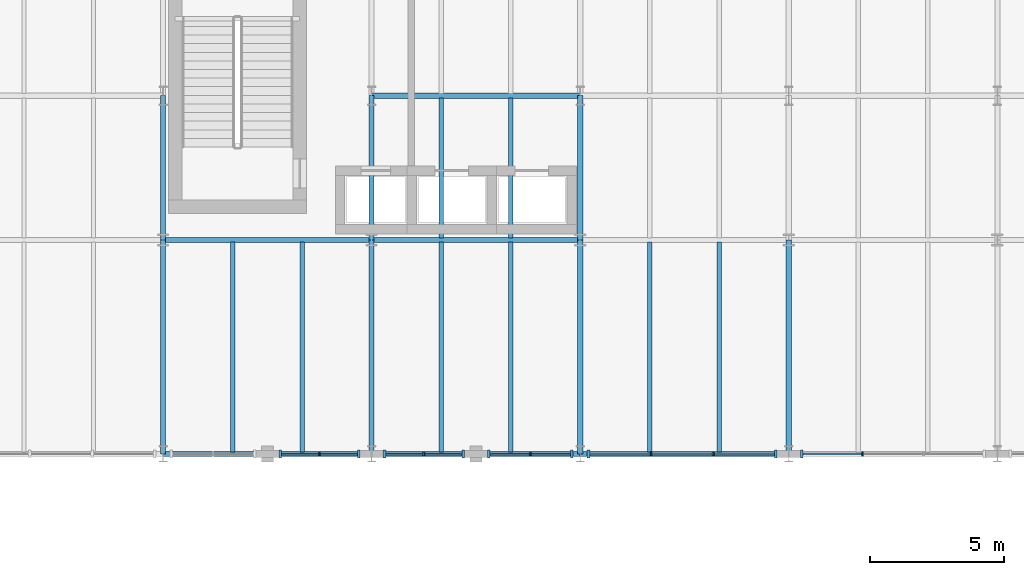
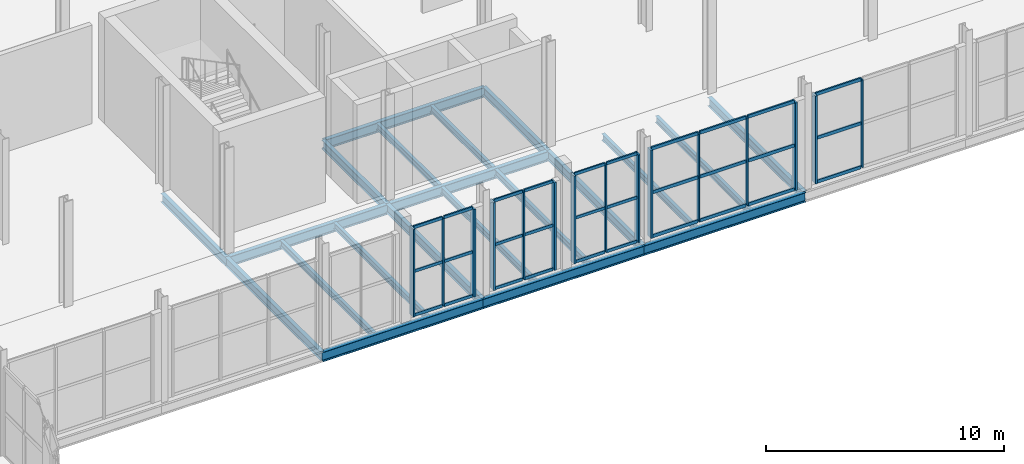
# One storey, part 30 of 78: 45 members, 21 beams, 5 elements without a shape of their own.
"""IFC4 building model written with IfcOpenShell, lengths in metres."""

from ifc_helpers import new_model, si_unit, direction, frame, origin, origin_2d, place, context, subcontext, project, spatial, rectangle, i_section, extrude, material, layer, layer_set, material_profile, profile_set, type_object, element, aggregate, save


model = new_model("IFC4")

# Units and contexts
model_context = context("Model", 3, precision=1e-05, world=origin(), true_north=direction((0.0, 1.0)))
body_context = subcontext(model_context, "Body", "Model", "MODEL_VIEW")
ifc_project = project(units=[si_unit("LENGTHUNIT", "METRE"), si_unit("AREAUNIT", "SQUARE_METRE"), si_unit("VOLUMEUNIT", "CUBIC_METRE"), si_unit("PLANEANGLEUNIT", "RADIAN"), si_unit("MASSUNIT", "GRAM", prefix="KILO")], contexts=[model_context])

# Site, building, storey
site_placement = place(None, origin())
site = spatial("IfcSite", under=ifc_project, at=site_placement, CompositionType="ELEMENT")
building_placement = place(site_placement, origin())
building = spatial("IfcBuilding", under=site, at=building_placement, Name="Sefraquen Railside Congress Hotel", CompositionType="ELEMENT")
storey_placement = place(building_placement, frame((0.0, 0.0, 6.0)))
storey = spatial("IfcBuildingStorey", under=building, at=storey_placement, Name="L01", CompositionType="ELEMENT", Elevation=6.0)

# Beams
ifc_material_1 = material(Name="Steel S355JR", Category="steel")
ifc_material_profile_1 = material_profile(ifc_material_1, i_section(OverallWidth=0.18994140625, OverallDepth=0.449951171875, WebThickness=0.009521484375, FlangeThickness=0.0146484375, FilletRadius=0.02099609375, at=origin_2d()), Name="IPE 450")
ifc_profile_set_1 = profile_set([ifc_material_profile_1], Name="Steel S355JR")
beam_type_1 = type_object("IfcBeamType", Name="TB-BM-450", PredefinedType="BEAM", material=ifc_profile_set_1)
beam_1_placement = place(storey_placement, frame((64.199951171875, 88.0, -0.52490234375), z_axis=(0.0, 1.0, 0.0), x_axis=(-1.0, 0.0, 0.0)))
element("IfcBeam", 1, at=beam_1_placement, inside=storey, type_object=beam_type_1, Name="Floor beam BM-L01-0573", PredefinedType="BEAM", context=body_context, shape_type="SweptSolid", body=[
    extrude(i_section(OverallWidth=0.18994140625, OverallDepth=0.449951171875, WebThickness=0.009521484375, FlangeThickness=0.0146484375, FilletRadius=0.02099609375, at=origin_2d()), origin(), (0.0, 0.0, 1.0), 8.0),
])
beam_2_placement = place(storey_placement, frame((64.199951171875, 96.0, -0.52490234375), z_axis=(0.0, 1.0, 0.0), x_axis=(-1.0, 0.0, 0.0)))
element("IfcBeam", 2, at=beam_2_placement, inside=storey, type_object=beam_type_1, Name="Floor beam BM-L01-0574", PredefinedType="BEAM", context=body_context, shape_type="SweptSolid", body=[
    extrude(i_section(OverallWidth=0.18994140625, OverallDepth=0.449951171875, WebThickness=0.009521484375, FlangeThickness=0.0146484375, FilletRadius=0.02099609375, at=origin_2d()), origin(), (0.0, 0.0, 1.0), 5.39990234375),
])
beam_3_placement = place(storey_placement, frame((72.0, 88.0, -0.52490234375), z_axis=(0.0, 1.0, 0.0), x_axis=(-1.0, 0.0, 0.0)))
element("IfcBeam", 3, at=beam_3_placement, inside=storey, type_object=beam_type_1, Name="Floor beam BM-L01-0577", PredefinedType="BEAM", context=body_context, shape_type="SweptSolid", body=[
    extrude(i_section(OverallWidth=0.18994140625, OverallDepth=0.449951171875, WebThickness=0.009521484375, FlangeThickness=0.0146484375, FilletRadius=0.02099609375, at=origin_2d()), origin(), (0.0, 0.0, 1.0), 8.0),
])
beam_4_placement = place(storey_placement, frame((72.0, 96.0, -0.52490234375), z_axis=(0.0, 1.0, 0.0), x_axis=(-1.0, 0.0, 0.0)))
element("IfcBeam", 4, at=beam_4_placement, inside=storey, type_object=beam_type_1, Name="Floor beam BM-L01-0578", PredefinedType="BEAM", context=body_context, shape_type="SweptSolid", body=[
    extrude(i_section(OverallWidth=0.18994140625, OverallDepth=0.449951171875, WebThickness=0.009521484375, FlangeThickness=0.0146484375, FilletRadius=0.02099609375, at=origin_2d()), origin(), (0.0, 0.0, 1.0), 5.39990234375),
])
beam_5_placement = place(storey_placement, frame((79.800048828125, 88.0, -0.52490234375), z_axis=(0.0, 1.0, 0.0), x_axis=(-1.0, 0.0, 0.0)))
element("IfcBeam", 5, at=beam_5_placement, inside=storey, type_object=beam_type_1, Name="Floor beam BM-L01-0582", PredefinedType="BEAM", context=body_context, shape_type="SweptSolid", body=[
    extrude(i_section(OverallWidth=0.18994140625, OverallDepth=0.449951171875, WebThickness=0.009521484375, FlangeThickness=0.0146484375, FilletRadius=0.02099609375, at=origin_2d()), origin(), (0.0, 0.0, 1.0), 8.0),
])
beam_6_placement = place(storey_placement, frame((79.800048828125, 96.0, -0.52490234375), z_axis=(0.0, 1.0, 0.0), x_axis=(-1.0, 0.0, 0.0)))
element("IfcBeam", 6, at=beam_6_placement, inside=storey, type_object=beam_type_1, Name="Floor beam BM-L01-0583", PredefinedType="BEAM", context=body_context, shape_type="SweptSolid", body=[
    extrude(i_section(OverallWidth=0.18994140625, OverallDepth=0.449951171875, WebThickness=0.009521484375, FlangeThickness=0.0146484375, FilletRadius=0.02099609375, at=origin_2d()), origin(), (0.0, 0.0, 1.0), 5.39990234375),
])
beam_7_placement = place(storey_placement, frame((87.60009765625, 88.0, -0.52490234375), z_axis=(0.0, 1.0, 0.0), x_axis=(-1.0, 0.0, 0.0)))
element("IfcBeam", 7, at=beam_7_placement, inside=storey, type_object=beam_type_1, Name="Floor beam BM-L01-0591", PredefinedType="BEAM", context=body_context, shape_type="SweptSolid", body=[
    extrude(i_section(OverallWidth=0.18994140625, OverallDepth=0.449951171875, WebThickness=0.009521484375, FlangeThickness=0.0146484375, FilletRadius=0.02099609375, at=origin_2d()), origin(), (0.0, 0.0, 1.0), 8.0),
])
ifc_material_profile_2 = material_profile(ifc_material_1, i_section(OverallWidth=0.199951171875, OverallDepth=0.5, WebThickness=0.01025390625, FlangeThickness=0.01611328125, FilletRadius=0.02099609375, at=origin_2d()), Name="IPE 500")
ifc_profile_set_2 = profile_set([ifc_material_profile_2], Name="Steel S355JR")
beam_type_2 = type_object("IfcBeamType", Name="TB-BM-500", PredefinedType="BEAM", material=ifc_profile_set_2)
for number, where, z_axis, x_axis, name in (
    (8, (64.199951171875, 88.0, -0.550048828125), (1.0, 0.0, 0.0), (0.0, 1.0, 0.0), "Primary girder BM-L01-0441"),
    (9, (72.0, 88.0, -0.550048828125), (1.0, 0.0, 0.0), (0.0, 1.0, 0.0), "Primary girder BM-L01-0442"),
    (10, (79.800048828125, 88.0, -0.550048828125), (1.0, 0.0, 0.0), (0.0, 1.0, 0.0), "Primary girder BM-L01-0443"),
    (11, (64.199951171875, 96.0, -0.550048828125), (1.0, 0.0, 0.0), (0.0, 1.0, 0.0), "Primary girder BM-L01-0456"),
    (12, (72.0, 96.0, -0.550048828125), (1.0, 0.0, 0.0), (0.0, 1.0, 0.0), "Primary girder BM-L01-0457"),
    (13, (72.0, 101.39990234375, -0.550048828125), (1.0, 0.0, 0.0), (0.0, 1.0, 0.0), "Primary girder BM-L01-0475"),
):
    element("IfcBeam", number, at=place(storey_placement, frame(where, z_axis=z_axis, x_axis=x_axis)), inside=storey, type_object=beam_type_2, Name=name, PredefinedType="BEAM", context=body_context, shape_type="SweptSolid", body=[
        extrude(i_section(OverallWidth=0.199951171875, OverallDepth=0.5, WebThickness=0.01025390625, FlangeThickness=0.01611328125, FilletRadius=0.02099609375, at=origin_2d()), origin(), (0.0, 0.0, 1.0), 7.800048828125),
    ])
ifc_material_profile_3 = material_profile(ifc_material_1, i_section(OverallWidth=0.159912109375, OverallDepth=0.330078125, WebThickness=0.007568359375, FlangeThickness=0.011474609375, FilletRadius=0.01806640625, at=origin_2d()), Name="IPE 330")
ifc_profile_set_3 = profile_set([ifc_material_profile_3], Name="Steel S355JR")
beam_type_3 = type_object("IfcBeamType", Name="TB-JST-330", PredefinedType="JOIST", material=ifc_profile_set_3)
for number, where, z_axis, x_axis, name in (
    (14, (66.800048828125, 88.080078125, -0.465087890625), (0.0, 1.0, 0.0), (-1.0, 0.0, 0.0), "Composite floor joist BM-L01-J0302"),
    (15, (69.39990234375, 88.080078125, -0.465087890625), (0.0, 1.0, 0.0), (-1.0, 0.0, 0.0), "Composite floor joist BM-L01-J0303"),
    (16, (74.60009765625, 88.080078125, -0.465087890625), (0.0, 1.0, 0.0), (-1.0, 0.0, 0.0), "Composite floor joist BM-L01-J0306"),
    (17, (77.199951171875, 88.080078125, -0.465087890625), (0.0, 1.0, 0.0), (-1.0, 0.0, 0.0), "Composite floor joist BM-L01-J0307"),
):
    element("IfcBeam", number, at=place(storey_placement, frame(where, z_axis=z_axis, x_axis=x_axis)), inside=storey, type_object=beam_type_3, Name=name, PredefinedType="JOIST", context=body_context, shape_type="SweptSolid", body=[
        extrude(i_section(OverallWidth=0.159912109375, OverallDepth=0.330078125, WebThickness=0.007568359375, FlangeThickness=0.011474609375, FilletRadius=0.01806640625, at=origin_2d()), origin(), (0.0, 0.0, 1.0), 7.83984375),
    ])
for number, where, z_axis, x_axis, name in (
    (18, (74.60009765625, 96.080078125, -0.465087890625), (0.0, 1.0, 0.0), (-1.0, 0.0, 0.0), "Composite floor joist BM-L01-J0308"),
    (19, (77.199951171875, 96.080078125, -0.465087890625), (0.0, 1.0, 0.0), (-1.0, 0.0, 0.0), "Composite floor joist BM-L01-J0309"),
):
    element("IfcBeam", number, at=place(storey_placement, frame(where, z_axis=z_axis, x_axis=x_axis)), inside=storey, type_object=beam_type_3, Name=name, PredefinedType="JOIST", context=body_context, shape_type="SweptSolid", body=[
        extrude(i_section(OverallWidth=0.159912109375, OverallDepth=0.330078125, WebThickness=0.007568359375, FlangeThickness=0.011474609375, FilletRadius=0.01806640625, at=origin_2d()), origin(), (0.0, 0.0, 1.0), 5.239990234375),
    ])
for number, where, z_axis, x_axis, name in (
    (20, (82.39990234375, 88.080078125, -0.465087890625), (0.0, 1.0, 0.0), (-1.0, 0.0, 0.0), "Composite floor joist BM-L01-J0316"),
    (21, (85.0, 88.080078125, -0.465087890625), (0.0, 1.0, 0.0), (-1.0, 0.0, 0.0), "Composite floor joist BM-L01-J0317"),
):
    element("IfcBeam", number, at=place(storey_placement, frame(where, z_axis=z_axis, x_axis=x_axis)), inside=storey, type_object=beam_type_3, Name=name, PredefinedType="JOIST", context=body_context, shape_type="SweptSolid", body=[
        extrude(i_section(OverallWidth=0.159912109375, OverallDepth=0.330078125, WebThickness=0.007568359375, FlangeThickness=0.011474609375, FilletRadius=0.01806640625, at=origin_2d()), origin(), (0.0, 0.0, 1.0), 7.83984375),
    ])

# Curtain wall, member
ifc_material_2 = material(Name="Thermally broken anodised aluminium and low-E double glazing", Category="aluminium")
ifc_layer_1 = layer(ifc_material_2, 0.199951171875)
ifc_layer_set_1 = layer_set([ifc_layer_1], Name="Thermally broken anodised aluminium and low-E double glazing")
curtain_wall_type_1 = type_object("IfcCurtainWallType", Name="TCW-UCW-11", PredefinedType="USERDEFINED", material=ifc_layer_set_1)
curtain_wall_1_placement = place(storey_placement, origin())
curtain_wall_1 = element("IfcCurtainWall", 22, at=curtain_wall_1_placement, inside=storey, type_object=curtain_wall_type_1, Name="Courtyard north gallery curtain wall L01-2 bay 2", ObjectType="UNITISED CURTAIN WALL", PredefinedType="USERDEFINED")
ifc_material_3 = material(Name="Thermally broken anodised aluminium 6063-T6", Category="aluminium")
ifc_material_profile_4 = material_profile(ifc_material_3, rectangle(XDim=0.06005859375, YDim=0.159912109375, at=origin_2d()), Name="CWM 60x160")
ifc_profile_set_4 = profile_set([ifc_material_profile_4], Name="Thermally broken anodised aluminium 6063-T6")
member_type_1 = type_object("IfcMemberType", Name="TM-CWM-01", PredefinedType="MULLION", material=ifc_profile_set_4)
member_1_placement = place(storey_placement, frame((70.050048828125, 88.0, 0.0), z_axis=(0.0, 0.0, 1.0), x_axis=(1.0, 0.0, 0.0)))
member_1 = element("IfcMember", 23, at=member_1_placement, type_object=member_type_1, Name="CW-L01-043-S2 mullion 2", PredefinedType="MULLION", context=body_context, shape_type="SweptSolid", body=[
    extrude(rectangle(XDim=0.06005859375, YDim=0.159912109375, at=origin_2d()), origin(), (0.0, 0.0, 1.0), 4.5),
])

curtain_wall_2_placement = place(storey_placement, origin())
curtain_wall_2 = element("IfcCurtainWall", 24, at=curtain_wall_2_placement, inside=storey, type_object=curtain_wall_type_1, Name="Courtyard north gallery curtain wall L01-2 bay 3", ObjectType="UNITISED CURTAIN WALL", PredefinedType="USERDEFINED")
member_2_placement = place(storey_placement, frame((73.949951171875, 88.0, 0.0), z_axis=(0.0, 0.0, 1.0), x_axis=(1.0, 0.0, 0.0)))
member_2 = element("IfcMember", 25, at=member_2_placement, type_object=member_type_1, Name="CW-L01-043-S3 mullion 2", PredefinedType="MULLION", context=body_context, shape_type="SweptSolid", body=[
    extrude(rectangle(XDim=0.06005859375, YDim=0.159912109375, at=origin_2d()), origin(), (0.0, 0.0, 1.0), 4.5),
])

curtain_wall_3_placement = place(storey_placement, origin())
curtain_wall_3 = element("IfcCurtainWall", 26, at=curtain_wall_3_placement, inside=storey, type_object=curtain_wall_type_1, Name="Courtyard north gallery curtain wall L01-2 bay 4", ObjectType="UNITISED CURTAIN WALL", PredefinedType="USERDEFINED")
member_3_placement = place(storey_placement, frame((77.93505859375, 88.0, 0.0), z_axis=(0.0, 0.0, 1.0), x_axis=(1.0, 0.0, 0.0)))
member_3 = element("IfcMember", 27, at=member_3_placement, type_object=member_type_1, Name="CW-L01-043-S4 mullion 2", PredefinedType="MULLION", context=body_context, shape_type="SweptSolid", body=[
    extrude(rectangle(XDim=0.06005859375, YDim=0.159912109375, at=origin_2d()), origin(), (0.0, 0.0, 1.0), 4.5),
])

# Curtain wall, members
ifc_layer_2 = layer(ifc_material_2, 0.199951171875)
ifc_layer_set_2 = layer_set([ifc_layer_2], Name="Thermally broken anodised aluminium and low-E double glazing")
curtain_wall_type_2 = type_object("IfcCurtainWallType", Name="TCW-UCW-12", PredefinedType="USERDEFINED", material=ifc_layer_set_2)
curtain_wall_4_placement = place(storey_placement, origin())
curtain_wall_4 = element("IfcCurtainWall", 28, at=curtain_wall_4_placement, inside=storey, type_object=curtain_wall_type_2, Name="Courtyard north gallery curtain wall L01-3", ObjectType="UNITISED CURTAIN WALL", PredefinedType="USERDEFINED")
ifc_material_profile_5 = material_profile(ifc_material_3, rectangle(XDim=0.06494140625, YDim=0.179931640625, at=origin_2d()), Name="CWM 65x180")
ifc_profile_set_5 = profile_set([ifc_material_profile_5], Name="Thermally broken anodised aluminium 6063-T6")
member_type_2 = type_object("IfcMemberType", Name="TM-CWM-02", PredefinedType="MULLION", material=ifc_profile_set_5)
member_4_placement = place(storey_placement, frame((82.44677734375, 88.0, 0.0), z_axis=(0.0, 0.0, 1.0), x_axis=(1.0, 0.0, 0.0)))
member_4 = element("IfcMember", 29, at=member_4_placement, type_object=member_type_2, Name="CW-L01-044 mullion 2", PredefinedType="MULLION", context=body_context, shape_type="SweptSolid", body=[
    extrude(rectangle(XDim=0.06494140625, YDim=0.179931640625, at=origin_2d()), origin(), (0.0, 0.0, 1.0), 4.5),
])
member_5_placement = place(storey_placement, frame((84.783203125, 88.0, 0.0), z_axis=(0.0, 0.0, 1.0), x_axis=(1.0, 0.0, 0.0)))
member_5 = element("IfcMember", 30, at=member_5_placement, type_object=member_type_2, Name="CW-L01-044 mullion 3", PredefinedType="MULLION", context=body_context, shape_type="SweptSolid", body=[
    extrude(rectangle(XDim=0.06494140625, YDim=0.179931640625, at=origin_2d()), origin(), (0.0, 0.0, 1.0), 4.5),
])

# Curtain wall, member
curtain_wall_5_placement = place(storey_placement, origin())
curtain_wall_5 = element("IfcCurtainWall", 31, at=curtain_wall_5_placement, inside=storey, type_object=curtain_wall_type_2, Name="Courtyard north gallery curtain wall L01-3 bay 2", ObjectType="UNITISED CURTAIN WALL", PredefinedType="USERDEFINED")
member_6_placement = place(storey_placement, frame((90.360107421875, 88.0, 0.0), z_axis=(0.0, 0.0, 1.0), x_axis=(1.0, 0.0, 0.0)))
member_6 = element("IfcMember", 32, at=member_6_placement, type_object=member_type_2, Name="CW-L01-044-S2 mullion 2", PredefinedType="MULLION", context=body_context, shape_type="SweptSolid", body=[
    extrude(rectangle(XDim=0.06494140625, YDim=0.179931640625, at=origin_2d()), origin(), (0.0, 0.0, 1.0), 4.5),
])

# Member
ifc_material_profile_6 = material_profile(ifc_material_3, rectangle(XDim=0.094970703125, YDim=0.300048828125, at=origin_2d()), Name="CWM 95x300")
ifc_profile_set_6 = profile_set([ifc_material_profile_6], Name="Thermally broken anodised aluminium 6063-T6")
member_type_3 = type_object("IfcMemberType", Name="TM-CWM-08", PredefinedType="MULLION", material=ifc_profile_set_6)
member_7_placement = place(storey_placement, frame((68.580078125, 88.0, 0.0), z_axis=(0.0, 0.0, 1.0), x_axis=(1.0, 0.0, 0.0)))
member_7 = element("IfcMember", 33, at=member_7_placement, type_object=member_type_3, Name="CW-L01-043-S2 mullion 1", PredefinedType="MULLION", context=body_context, shape_type="SweptSolid", body=[
    extrude(rectangle(XDim=0.094970703125, YDim=0.300048828125, at=origin_2d()), origin(), (0.0, 0.0, 1.0), 4.5),
])

member_8_placement = place(storey_placement, frame((71.52001953125, 88.0, 0.0), z_axis=(0.0, 0.0, 1.0), x_axis=(1.0, 0.0, 0.0)))
member_8 = element("IfcMember", 34, at=member_8_placement, type_object=member_type_3, Name="CW-L01-043-S2 mullion 3", PredefinedType="MULLION", context=body_context, shape_type="SweptSolid", body=[
    extrude(rectangle(XDim=0.094970703125, YDim=0.300048828125, at=origin_2d()), origin(), (0.0, 0.0, 1.0), 4.5),
])

member_9_placement = place(storey_placement, frame((72.47998046875, 88.0, 0.0), z_axis=(0.0, 0.0, 1.0), x_axis=(1.0, 0.0, 0.0)))
member_9 = element("IfcMember", 35, at=member_9_placement, type_object=member_type_3, Name="CW-L01-043-S3 mullion 1", PredefinedType="MULLION", context=body_context, shape_type="SweptSolid", body=[
    extrude(rectangle(XDim=0.094970703125, YDim=0.300048828125, at=origin_2d()), origin(), (0.0, 0.0, 1.0), 4.5),
])

member_10_placement = place(storey_placement, frame((75.419921875, 88.0, 0.0), z_axis=(0.0, 0.0, 1.0), x_axis=(1.0, 0.0, 0.0)))
member_10 = element("IfcMember", 36, at=member_10_placement, type_object=member_type_3, Name="CW-L01-043-S3 mullion 3", PredefinedType="MULLION", context=body_context, shape_type="SweptSolid", body=[
    extrude(rectangle(XDim=0.094970703125, YDim=0.300048828125, at=origin_2d()), origin(), (0.0, 0.0, 1.0), 4.5),
])

member_11_placement = place(storey_placement, frame((76.3798828125, 88.0, 0.0), z_axis=(0.0, 0.0, 1.0), x_axis=(1.0, 0.0, 0.0)))
member_11 = element("IfcMember", 37, at=member_11_placement, type_object=member_type_3, Name="CW-L01-043-S4 mullion 1", PredefinedType="MULLION", context=body_context, shape_type="SweptSolid", body=[
    extrude(rectangle(XDim=0.094970703125, YDim=0.300048828125, at=origin_2d()), origin(), (0.0, 0.0, 1.0), 4.5),
])

member_12_placement = place(storey_placement, frame((79.489990234375, 88.0, 0.0), z_axis=(0.0, 0.0, 1.0), x_axis=(1.0, 0.0, 0.0)))
member_12 = element("IfcMember", 38, at=member_12_placement, type_object=member_type_3, Name="CW-L01-043-S4 mullion 3", PredefinedType="MULLION", context=body_context, shape_type="SweptSolid", body=[
    extrude(rectangle(XDim=0.094970703125, YDim=0.300048828125, at=origin_2d()), origin(), (0.0, 0.0, 1.0), 4.5),
])

member_13_placement = place(storey_placement, frame((80.110107421875, 88.0, 0.0), z_axis=(0.0, 0.0, 1.0), x_axis=(1.0, 0.0, 0.0)))
member_13 = element("IfcMember", 39, at=member_13_placement, type_object=member_type_3, Name="CW-L01-044 mullion 1", PredefinedType="MULLION", context=body_context, shape_type="SweptSolid", body=[
    extrude(rectangle(XDim=0.094970703125, YDim=0.300048828125, at=origin_2d()), origin(), (0.0, 0.0, 1.0), 4.5),
])

member_14_placement = place(storey_placement, frame((87.1201171875, 88.0, 0.0), z_axis=(0.0, 0.0, 1.0), x_axis=(1.0, 0.0, 0.0)))
member_14 = element("IfcMember", 40, at=member_14_placement, type_object=member_type_3, Name="CW-L01-044 mullion 4", PredefinedType="MULLION", context=body_context, shape_type="SweptSolid", body=[
    extrude(rectangle(XDim=0.094970703125, YDim=0.300048828125, at=origin_2d()), origin(), (0.0, 0.0, 1.0), 4.5),
])

member_15_placement = place(storey_placement, frame((88.080078125, 88.0, 0.0), z_axis=(0.0, 0.0, 1.0), x_axis=(1.0, 0.0, 0.0)))
member_15 = element("IfcMember", 41, at=member_15_placement, type_object=member_type_3, Name="CW-L01-044-S2 mullion 1", PredefinedType="MULLION", context=body_context, shape_type="SweptSolid", body=[
    extrude(rectangle(XDim=0.094970703125, YDim=0.300048828125, at=origin_2d()), origin(), (0.0, 0.0, 1.0), 4.5),
])

ifc_material_profile_7 = material_profile(ifc_material_3, rectangle(XDim=0.070068359375, YDim=0.14990234375, at=origin_2d()), Name="CWT 70x150")
ifc_profile_set_7 = profile_set([ifc_material_profile_7], Name="Thermally broken anodised aluminium 6063-T6")
member_type_4 = type_object("IfcMemberType", Name="TM-CWT-03", PredefinedType="USERDEFINED", material=ifc_profile_set_7)
member_16_placement = place(storey_placement, frame((68.625, 88.0, 0.0), z_axis=(1.0, 0.0, 0.0), x_axis=(0.0, 1.0, 0.0)))
member_16 = element("IfcMember", 42, at=member_16_placement, type_object=member_type_4, Name="CW-L01-043-S2 transom 1.1", ObjectType="TRANSOM", PredefinedType="USERDEFINED", context=body_context, shape_type="SweptSolid", body=[
    extrude(rectangle(XDim=0.070068359375, YDim=0.14990234375, at=origin_2d()), origin(), (0.0, 0.0, 1.0), 1.3798828125),
])

member_17_placement = place(storey_placement, frame((70.094970703125, 88.0, 0.0), z_axis=(1.0, 0.0, 0.0), x_axis=(0.0, 1.0, 0.0)))
member_17 = element("IfcMember", 43, at=member_17_placement, type_object=member_type_4, Name="CW-L01-043-S2 transom 1.2", ObjectType="TRANSOM", PredefinedType="USERDEFINED", context=body_context, shape_type="SweptSolid", body=[
    extrude(rectangle(XDim=0.070068359375, YDim=0.14990234375, at=origin_2d()), origin(), (0.0, 0.0, 1.0), 1.380126953125),
])

member_18_placement = place(storey_placement, frame((68.625, 88.0, 2.25), z_axis=(1.0, 0.0, 0.0), x_axis=(0.0, 1.0, 0.0)))
member_18 = element("IfcMember", 44, at=member_18_placement, type_object=member_type_4, Name="CW-L01-043-S2 transom 2.1", ObjectType="TRANSOM", PredefinedType="USERDEFINED", context=body_context, shape_type="SweptSolid", body=[
    extrude(rectangle(XDim=0.070068359375, YDim=0.14990234375, at=origin_2d()), origin(), (0.0, 0.0, 1.0), 1.3798828125),
])

member_19_placement = place(storey_placement, frame((70.094970703125, 88.0, 2.25), z_axis=(1.0, 0.0, 0.0), x_axis=(0.0, 1.0, 0.0)))
member_19 = element("IfcMember", 45, at=member_19_placement, type_object=member_type_4, Name="CW-L01-043-S2 transom 2.2", ObjectType="TRANSOM", PredefinedType="USERDEFINED", context=body_context, shape_type="SweptSolid", body=[
    extrude(rectangle(XDim=0.070068359375, YDim=0.14990234375, at=origin_2d()), origin(), (0.0, 0.0, 1.0), 1.380126953125),
])

member_20_placement = place(storey_placement, frame((68.625, 88.0, 4.5), z_axis=(1.0, 0.0, 0.0), x_axis=(0.0, 1.0, 0.0)))
member_20 = element("IfcMember", 46, at=member_20_placement, type_object=member_type_4, Name="CW-L01-043-S2 transom 3.1", ObjectType="TRANSOM", PredefinedType="USERDEFINED", context=body_context, shape_type="SweptSolid", body=[
    extrude(rectangle(XDim=0.070068359375, YDim=0.14990234375, at=origin_2d()), origin(), (0.0, 0.0, 1.0), 1.3798828125),
])

member_21_placement = place(storey_placement, frame((70.094970703125, 88.0, 4.5), z_axis=(1.0, 0.0, 0.0), x_axis=(0.0, 1.0, 0.0)))
member_21 = element("IfcMember", 47, at=member_21_placement, type_object=member_type_4, Name="CW-L01-043-S2 transom 3.2", ObjectType="TRANSOM", PredefinedType="USERDEFINED", context=body_context, shape_type="SweptSolid", body=[
    extrude(rectangle(XDim=0.070068359375, YDim=0.14990234375, at=origin_2d()), origin(), (0.0, 0.0, 1.0), 1.380126953125),
])

aggregate(curtain_wall_1, [member_7, member_1, member_8, member_16, member_17, member_18, member_19, member_20, member_21])

member_22_placement = place(storey_placement, frame((72.52490234375, 88.0, 0.0), z_axis=(1.0, 0.0, 0.0), x_axis=(0.0, 1.0, 0.0)))
member_22 = element("IfcMember", 48, at=member_22_placement, type_object=member_type_4, Name="CW-L01-043-S3 transom 1.1", ObjectType="TRANSOM", PredefinedType="USERDEFINED", context=body_context, shape_type="SweptSolid", body=[
    extrude(rectangle(XDim=0.070068359375, YDim=0.14990234375, at=origin_2d()), origin(), (0.0, 0.0, 1.0), 1.380126953125),
])

member_23_placement = place(storey_placement, frame((73.9951171875, 88.0, 0.0), z_axis=(1.0, 0.0, 0.0), x_axis=(0.0, 1.0, 0.0)))
member_23 = element("IfcMember", 49, at=member_23_placement, type_object=member_type_4, Name="CW-L01-043-S3 transom 1.2", ObjectType="TRANSOM", PredefinedType="USERDEFINED", context=body_context, shape_type="SweptSolid", body=[
    extrude(rectangle(XDim=0.070068359375, YDim=0.14990234375, at=origin_2d()), origin(), (0.0, 0.0, 1.0), 1.3798828125),
])

member_24_placement = place(storey_placement, frame((72.52490234375, 88.0, 2.25), z_axis=(1.0, 0.0, 0.0), x_axis=(0.0, 1.0, 0.0)))
member_24 = element("IfcMember", 50, at=member_24_placement, type_object=member_type_4, Name="CW-L01-043-S3 transom 2.1", ObjectType="TRANSOM", PredefinedType="USERDEFINED", context=body_context, shape_type="SweptSolid", body=[
    extrude(rectangle(XDim=0.070068359375, YDim=0.14990234375, at=origin_2d()), origin(), (0.0, 0.0, 1.0), 1.380126953125),
])

member_25_placement = place(storey_placement, frame((73.9951171875, 88.0, 2.25), z_axis=(1.0, 0.0, 0.0), x_axis=(0.0, 1.0, 0.0)))
member_25 = element("IfcMember", 51, at=member_25_placement, type_object=member_type_4, Name="CW-L01-043-S3 transom 2.2", ObjectType="TRANSOM", PredefinedType="USERDEFINED", context=body_context, shape_type="SweptSolid", body=[
    extrude(rectangle(XDim=0.070068359375, YDim=0.14990234375, at=origin_2d()), origin(), (0.0, 0.0, 1.0), 1.3798828125),
])

member_26_placement = place(storey_placement, frame((72.52490234375, 88.0, 4.5), z_axis=(1.0, 0.0, 0.0), x_axis=(0.0, 1.0, 0.0)))
member_26 = element("IfcMember", 52, at=member_26_placement, type_object=member_type_4, Name="CW-L01-043-S3 transom 3.1", ObjectType="TRANSOM", PredefinedType="USERDEFINED", context=body_context, shape_type="SweptSolid", body=[
    extrude(rectangle(XDim=0.070068359375, YDim=0.14990234375, at=origin_2d()), origin(), (0.0, 0.0, 1.0), 1.380126953125),
])

member_27_placement = place(storey_placement, frame((73.9951171875, 88.0, 4.5), z_axis=(1.0, 0.0, 0.0), x_axis=(0.0, 1.0, 0.0)))
member_27 = element("IfcMember", 53, at=member_27_placement, type_object=member_type_4, Name="CW-L01-043-S3 transom 3.2", ObjectType="TRANSOM", PredefinedType="USERDEFINED", context=body_context, shape_type="SweptSolid", body=[
    extrude(rectangle(XDim=0.070068359375, YDim=0.14990234375, at=origin_2d()), origin(), (0.0, 0.0, 1.0), 1.3798828125),
])

aggregate(curtain_wall_2, [member_9, member_2, member_10, member_22, member_23, member_24, member_25, member_26, member_27])

member_28_placement = place(storey_placement, frame((76.425048828125, 88.0, 0.0), z_axis=(1.0, 0.0, 0.0), x_axis=(0.0, 1.0, 0.0)))
member_28 = element("IfcMember", 54, at=member_28_placement, type_object=member_type_4, Name="CW-L01-043-S4 transom 1.1", ObjectType="TRANSOM", PredefinedType="USERDEFINED", context=body_context, shape_type="SweptSolid", body=[
    extrude(rectangle(XDim=0.070068359375, YDim=0.14990234375, at=origin_2d()), origin(), (0.0, 0.0, 1.0), 1.46484375),
])

member_29_placement = place(storey_placement, frame((77.97998046875, 88.0, 0.0), z_axis=(1.0, 0.0, 0.0), x_axis=(0.0, 1.0, 0.0)))
member_29 = element("IfcMember", 55, at=member_29_placement, type_object=member_type_4, Name="CW-L01-043-S4 transom 1.2", ObjectType="TRANSOM", PredefinedType="USERDEFINED", context=body_context, shape_type="SweptSolid", body=[
    extrude(rectangle(XDim=0.070068359375, YDim=0.14990234375, at=origin_2d()), origin(), (0.0, 0.0, 1.0), 1.465087890625),
])

member_30_placement = place(storey_placement, frame((76.425048828125, 88.0, 2.25), z_axis=(1.0, 0.0, 0.0), x_axis=(0.0, 1.0, 0.0)))
member_30 = element("IfcMember", 56, at=member_30_placement, type_object=member_type_4, Name="CW-L01-043-S4 transom 2.1", ObjectType="TRANSOM", PredefinedType="USERDEFINED", context=body_context, shape_type="SweptSolid", body=[
    extrude(rectangle(XDim=0.070068359375, YDim=0.14990234375, at=origin_2d()), origin(), (0.0, 0.0, 1.0), 1.46484375),
])

member_31_placement = place(storey_placement, frame((77.97998046875, 88.0, 2.25), z_axis=(1.0, 0.0, 0.0), x_axis=(0.0, 1.0, 0.0)))
member_31 = element("IfcMember", 57, at=member_31_placement, type_object=member_type_4, Name="CW-L01-043-S4 transom 2.2", ObjectType="TRANSOM", PredefinedType="USERDEFINED", context=body_context, shape_type="SweptSolid", body=[
    extrude(rectangle(XDim=0.070068359375, YDim=0.14990234375, at=origin_2d()), origin(), (0.0, 0.0, 1.0), 1.465087890625),
])

member_32_placement = place(storey_placement, frame((76.425048828125, 88.0, 4.5), z_axis=(1.0, 0.0, 0.0), x_axis=(0.0, 1.0, 0.0)))
member_32 = element("IfcMember", 58, at=member_32_placement, type_object=member_type_4, Name="CW-L01-043-S4 transom 3.1", ObjectType="TRANSOM", PredefinedType="USERDEFINED", context=body_context, shape_type="SweptSolid", body=[
    extrude(rectangle(XDim=0.070068359375, YDim=0.14990234375, at=origin_2d()), origin(), (0.0, 0.0, 1.0), 1.46484375),
])

member_33_placement = place(storey_placement, frame((77.97998046875, 88.0, 4.5), z_axis=(1.0, 0.0, 0.0), x_axis=(0.0, 1.0, 0.0)))
member_33 = element("IfcMember", 59, at=member_33_placement, type_object=member_type_4, Name="CW-L01-043-S4 transom 3.2", ObjectType="TRANSOM", PredefinedType="USERDEFINED", context=body_context, shape_type="SweptSolid", body=[
    extrude(rectangle(XDim=0.070068359375, YDim=0.14990234375, at=origin_2d()), origin(), (0.0, 0.0, 1.0), 1.465087890625),
])

aggregate(curtain_wall_3, [member_11, member_3, member_12, member_28, member_29, member_30, member_31, member_32, member_33])

ifc_material_profile_8 = material_profile(ifc_material_3, rectangle(XDim=0.074951171875, YDim=0.1650390625, at=origin_2d()), Name="CWT 75x165")
ifc_profile_set_8 = profile_set([ifc_material_profile_8], Name="Thermally broken anodised aluminium 6063-T6")
member_type_5 = type_object("IfcMemberType", Name="TM-CWT-04", PredefinedType="USERDEFINED", material=ifc_profile_set_8)
member_34_placement = place(storey_placement, frame((80.155029296875, 88.0, 0.0), z_axis=(1.0, 0.0, 0.0), x_axis=(0.0, 1.0, 0.0)))
member_34 = element("IfcMember", 60, at=member_34_placement, type_object=member_type_5, Name="CW-L01-044 transom 1.1", ObjectType="TRANSOM", PredefinedType="USERDEFINED", context=body_context, shape_type="SweptSolid", body=[
    extrude(rectangle(XDim=0.074951171875, YDim=0.1650390625, at=origin_2d()), origin(), (0.0, 0.0, 1.0), 2.24658203125),
])

member_35_placement = place(storey_placement, frame((82.49169921875, 88.0, 0.0), z_axis=(1.0, 0.0, 0.0), x_axis=(0.0, 1.0, 0.0)))
member_35 = element("IfcMember", 61, at=member_35_placement, type_object=member_type_5, Name="CW-L01-044 transom 1.2", ObjectType="TRANSOM", PredefinedType="USERDEFINED", context=body_context, shape_type="SweptSolid", body=[
    extrude(rectangle(XDim=0.074951171875, YDim=0.1650390625, at=origin_2d()), origin(), (0.0, 0.0, 1.0), 2.24658203125),
])

member_36_placement = place(storey_placement, frame((84.828369140625, 88.0, 0.0), z_axis=(1.0, 0.0, 0.0), x_axis=(0.0, 1.0, 0.0)))
member_36 = element("IfcMember", 62, at=member_36_placement, type_object=member_type_5, Name="CW-L01-044 transom 1.3", ObjectType="TRANSOM", PredefinedType="USERDEFINED", context=body_context, shape_type="SweptSolid", body=[
    extrude(rectangle(XDim=0.074951171875, YDim=0.1650390625, at=origin_2d()), origin(), (0.0, 0.0, 1.0), 2.24658203125),
])

member_37_placement = place(storey_placement, frame((80.155029296875, 88.0, 2.25), z_axis=(1.0, 0.0, 0.0), x_axis=(0.0, 1.0, 0.0)))
member_37 = element("IfcMember", 63, at=member_37_placement, type_object=member_type_5, Name="CW-L01-044 transom 2.1", ObjectType="TRANSOM", PredefinedType="USERDEFINED", context=body_context, shape_type="SweptSolid", body=[
    extrude(rectangle(XDim=0.074951171875, YDim=0.1650390625, at=origin_2d()), origin(), (0.0, 0.0, 1.0), 2.24658203125),
])

member_38_placement = place(storey_placement, frame((82.49169921875, 88.0, 2.25), z_axis=(1.0, 0.0, 0.0), x_axis=(0.0, 1.0, 0.0)))
member_38 = element("IfcMember", 64, at=member_38_placement, type_object=member_type_5, Name="CW-L01-044 transom 2.2", ObjectType="TRANSOM", PredefinedType="USERDEFINED", context=body_context, shape_type="SweptSolid", body=[
    extrude(rectangle(XDim=0.074951171875, YDim=0.1650390625, at=origin_2d()), origin(), (0.0, 0.0, 1.0), 2.24658203125),
])

member_39_placement = place(storey_placement, frame((84.828369140625, 88.0, 2.25), z_axis=(1.0, 0.0, 0.0), x_axis=(0.0, 1.0, 0.0)))
member_39 = element("IfcMember", 65, at=member_39_placement, type_object=member_type_5, Name="CW-L01-044 transom 2.3", ObjectType="TRANSOM", PredefinedType="USERDEFINED", context=body_context, shape_type="SweptSolid", body=[
    extrude(rectangle(XDim=0.074951171875, YDim=0.1650390625, at=origin_2d()), origin(), (0.0, 0.0, 1.0), 2.24658203125),
])

member_40_placement = place(storey_placement, frame((80.155029296875, 88.0, 4.5), z_axis=(1.0, 0.0, 0.0), x_axis=(0.0, 1.0, 0.0)))
member_40 = element("IfcMember", 66, at=member_40_placement, type_object=member_type_5, Name="CW-L01-044 transom 3.1", ObjectType="TRANSOM", PredefinedType="USERDEFINED", context=body_context, shape_type="SweptSolid", body=[
    extrude(rectangle(XDim=0.074951171875, YDim=0.1650390625, at=origin_2d()), origin(), (0.0, 0.0, 1.0), 2.24658203125),
])

member_41_placement = place(storey_placement, frame((82.49169921875, 88.0, 4.5), z_axis=(1.0, 0.0, 0.0), x_axis=(0.0, 1.0, 0.0)))
member_41 = element("IfcMember", 67, at=member_41_placement, type_object=member_type_5, Name="CW-L01-044 transom 3.2", ObjectType="TRANSOM", PredefinedType="USERDEFINED", context=body_context, shape_type="SweptSolid", body=[
    extrude(rectangle(XDim=0.074951171875, YDim=0.1650390625, at=origin_2d()), origin(), (0.0, 0.0, 1.0), 2.24658203125),
])

member_42_placement = place(storey_placement, frame((84.828369140625, 88.0, 4.5), z_axis=(1.0, 0.0, 0.0), x_axis=(0.0, 1.0, 0.0)))
member_42 = element("IfcMember", 68, at=member_42_placement, type_object=member_type_5, Name="CW-L01-044 transom 3.3", ObjectType="TRANSOM", PredefinedType="USERDEFINED", context=body_context, shape_type="SweptSolid", body=[
    extrude(rectangle(XDim=0.074951171875, YDim=0.1650390625, at=origin_2d()), origin(), (0.0, 0.0, 1.0), 2.24658203125),
])

aggregate(curtain_wall_4, [member_13, member_4, member_5, member_14, member_34, member_35, member_36, member_37, member_38, member_39, member_40, member_41, member_42])

member_43_placement = place(storey_placement, frame((88.125, 88.0, 0.0), z_axis=(1.0, 0.0, 0.0), x_axis=(0.0, 1.0, 0.0)))
member_43 = element("IfcMember", 69, at=member_43_placement, type_object=member_type_5, Name="CW-L01-044-S2 transom 1.1", ObjectType="TRANSOM", PredefinedType="USERDEFINED", context=body_context, shape_type="SweptSolid", body=[
    extrude(rectangle(XDim=0.074951171875, YDim=0.1650390625, at=origin_2d()), origin(), (0.0, 0.0, 1.0), 2.18994140625),
])

member_44_placement = place(storey_placement, frame((88.125, 88.0, 2.25), z_axis=(1.0, 0.0, 0.0), x_axis=(0.0, 1.0, 0.0)))
member_44 = element("IfcMember", 70, at=member_44_placement, type_object=member_type_5, Name="CW-L01-044-S2 transom 2.1", ObjectType="TRANSOM", PredefinedType="USERDEFINED", context=body_context, shape_type="SweptSolid", body=[
    extrude(rectangle(XDim=0.074951171875, YDim=0.1650390625, at=origin_2d()), origin(), (0.0, 0.0, 1.0), 2.18994140625),
])

member_45_placement = place(storey_placement, frame((88.125, 88.0, 4.5), z_axis=(1.0, 0.0, 0.0), x_axis=(0.0, 1.0, 0.0)))
member_45 = element("IfcMember", 71, at=member_45_placement, type_object=member_type_5, Name="CW-L01-044-S2 transom 3.1", ObjectType="TRANSOM", PredefinedType="USERDEFINED", context=body_context, shape_type="SweptSolid", body=[
    extrude(rectangle(XDim=0.074951171875, YDim=0.1650390625, at=origin_2d()), origin(), (0.0, 0.0, 1.0), 2.18994140625),
])

aggregate(curtain_wall_5, [member_15, member_6, member_43, member_44, member_45])

save(model, "model.ifc")
